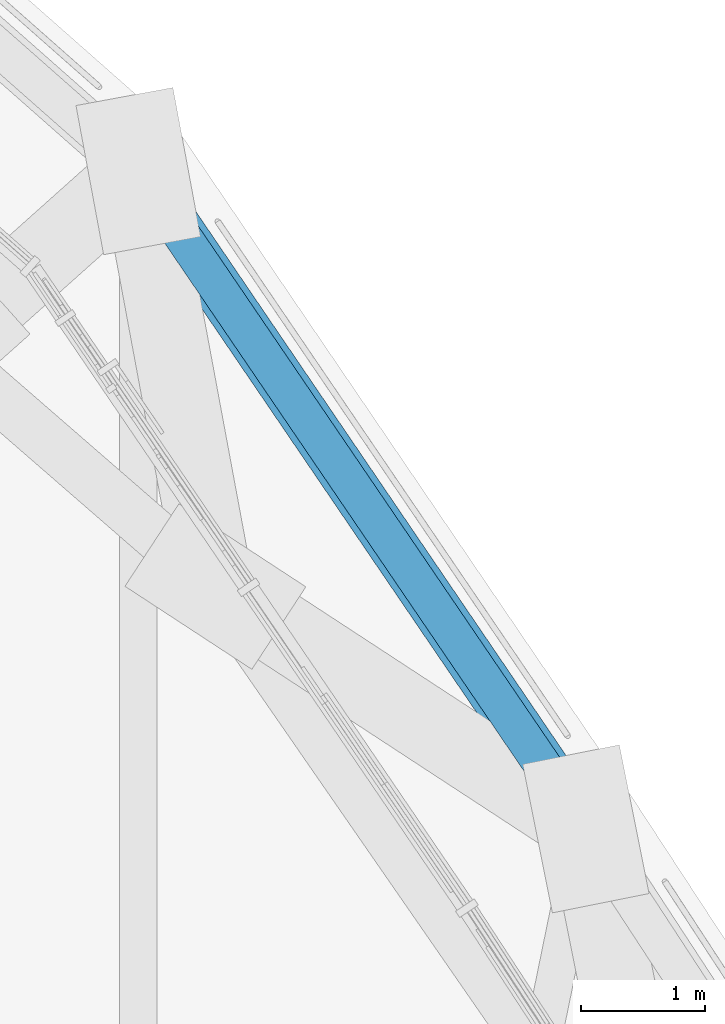
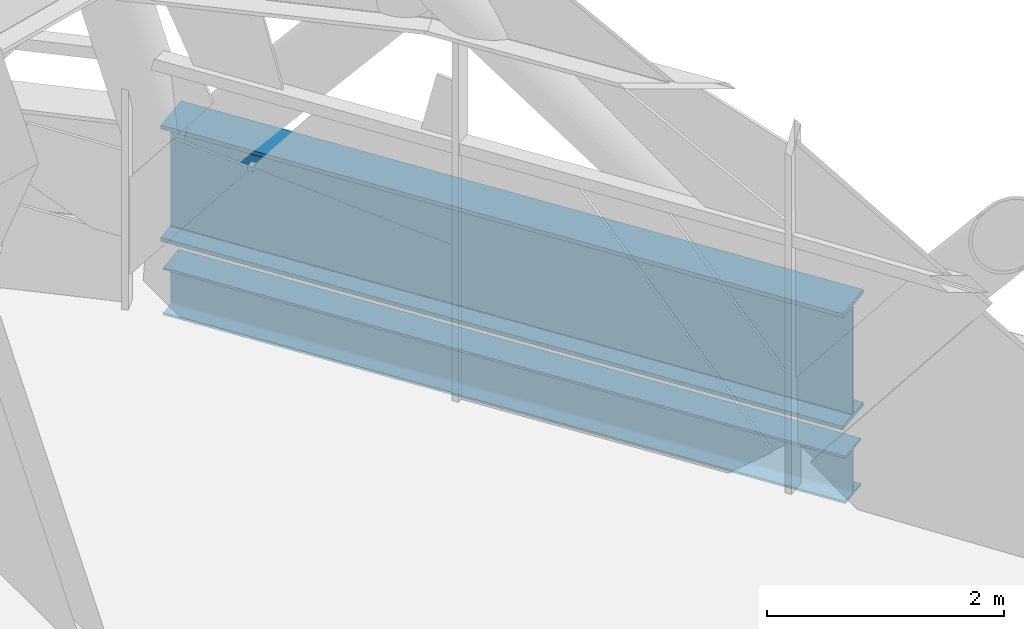
# One storey, part 10 of 43: 1 beam, 1 member.
"""IFC4 building model written with IfcOpenShell, lengths in metres."""

from ifc_helpers import new_model, si_unit, direction, frame, origin, origin_2d, place, context, subcontext, project, spatial, i_section, extrude, material, material_profile, profile_set, type_object, element, save


model = new_model("IFC4")

# Units and contexts
model_context = context("Model", 3, precision=1e-05, world=origin(), true_north=direction((0.0, 1.0)))
body_context = subcontext(model_context, "Body", "Model", "MODEL_VIEW")
ifc_project = project(units=[si_unit("LENGTHUNIT", "METRE"), si_unit("AREAUNIT", "SQUARE_METRE"), si_unit("VOLUMEUNIT", "CUBIC_METRE"), si_unit("PLANEANGLEUNIT", "RADIAN"), si_unit("MASSUNIT", "GRAM", prefix="KILO")], contexts=[model_context])

# Site, building, storey
site_placement = place(None, origin())
site = spatial("IfcSite", under=ifc_project, at=site_placement, CompositionType="ELEMENT")
building_placement = place(site_placement, origin())
building = spatial("IfcBuilding", under=site, at=building_placement, Name="Mestral Congress Tower", CompositionType="ELEMENT")
storey_placement = place(building_placement, frame((0.0, 0.0, 78.300048828125)))
storey = spatial("IfcBuildingStorey", under=building, at=storey_placement, Name="L18", CompositionType="ELEMENT", Elevation=78.300048828125)

# Member
ifc_material = material(Name="Steel S355", Category="steel")
ifc_material_profile_1 = material_profile(ifc_material, i_section(OverallWidth=0.39990234375, OverallDepth=1.199951171875, WebThickness=0.02001953125, FlangeThickness=0.0400390625, FilletRadius=0.010009765625, at=origin_2d()), Name="WPG 1200")
ifc_profile_set_1 = profile_set([ifc_material_profile_1], Name="Steel S355")
member_type = type_object("IfcMemberType", Name="Belt chord WPG 1200 S355", PredefinedType="CHORD", material=ifc_profile_set_1)
member_placement = place(storey_placement, frame((8.03662109375, 30.4873046875, 0.599853515625), z_axis=(-0.562597971021, 0.826730622998, 0.0), x_axis=(-0.826730622998, -0.562597971021, 0.0)))
element("IfcMember", 1, at=member_placement, inside=storey, type_object=member_type, Name="MB-L18-BC1-E08", PredefinedType="CHORD", context=body_context, shape_type="SweptSolid", body=[
    extrude(i_section(OverallWidth=0.39990234375, OverallDepth=1.199951171875, WebThickness=0.02001953125, FlangeThickness=0.0400390625, FilletRadius=0.010009765625, at=origin_2d()), origin(), (0.0, 0.0, 1.0), 6.39990234375),
])

# Beam
ifc_material_profile_2 = material_profile(ifc_material, i_section(OverallWidth=0.300048828125, OverallDepth=0.489990234375, WebThickness=0.011962890625, FlangeThickness=0.02294921875, FilletRadius=0.027099609375, at=origin_2d()), Name="HEA 500")
ifc_profile_set_2 = profile_set([ifc_material_profile_2], Name="Steel S355")
beam_type = type_object("IfcBeamType", Name="Spandrel beam HEA 500 S355", PredefinedType="BEAM", material=ifc_profile_set_2)
beam_placement = place(storey_placement, frame((8.03662109375, 30.4873046875, -0.545166015625), z_axis=(-0.562597971021, 0.826730622998, 0.0), x_axis=(-0.826730622998, -0.562597971021, 0.0)))
element("IfcBeam", 2, at=beam_placement, inside=storey, type_object=beam_type, Name="SP-L18-SB1-E08", PredefinedType="BEAM", context=body_context, shape_type="SweptSolid", body=[
    extrude(i_section(OverallWidth=0.300048828125, OverallDepth=0.489990234375, WebThickness=0.011962890625, FlangeThickness=0.02294921875, FilletRadius=0.027099609375, at=origin_2d()), origin(), (0.0, 0.0, 1.0), 6.39990234375),
])

save(model, "model.ifc")
